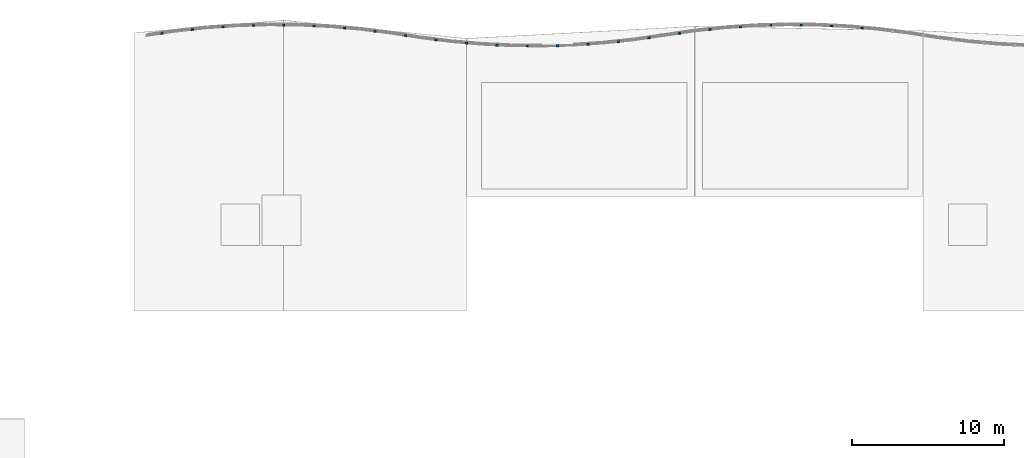
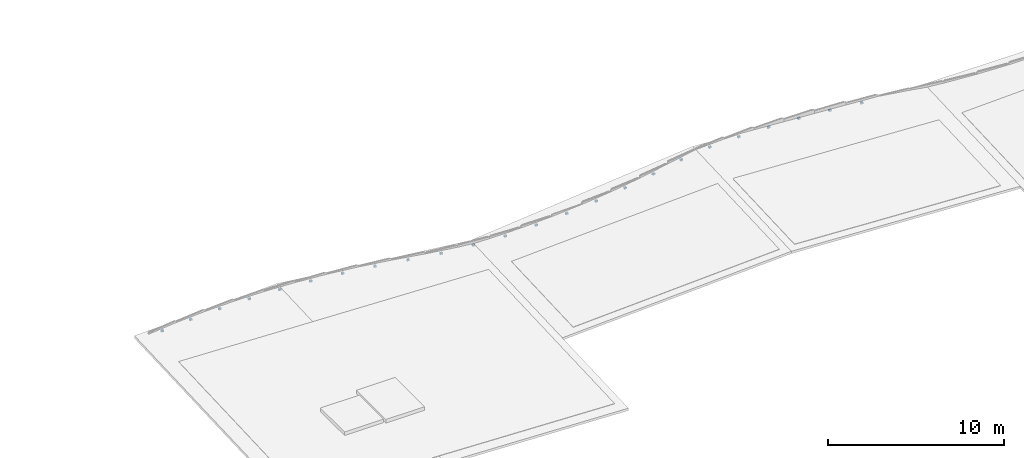
# One storey, part 8 of 11: 24 discrete accessories.
"""IFC4 building model written with IfcOpenShell, lengths in metres."""

import ifcopenshell
import ifcopenshell.guid

model = None  # the IFC model being written
_history = None  # IfcOwnerHistory: only IFC2X3 demands one
_inside = {}  # id of a spatial element -> (the spatial element, [elements in it])
_under = {}  # id of a project, library or spatial element -> (it, [spatial elements below it])
_declared = {}  # id of a project -> (the project, [libraries it declares])
_typed = {}  # id of a type object -> (the type object, [elements of that type])
_made_of = {}  # id of a material, layer set ... -> (it, [elements and type objects made of it])


def new_model(schema):
    """Start an empty IFC model of exactly this schema.

    Asked for "IFC4X3", IfcOpenShell would pick the latest addendum, in which some entities
    have other attributes; the version numbers below select the first issue.
    IFC2X3 requires an IfcOwnerHistory on every rooted entity: one is made here for all.
    """
    global model, _history
    if schema == "IFC4X3":
        model = ifcopenshell.file(schema_version=(4, 3, 0, 0))
    else:
        model = ifcopenshell.file(schema=schema)
    _inside.clear()
    _under.clear()
    _declared.clear()
    _typed.clear()
    _made_of.clear()
    _history = None
    if model.schema == "IFC2X3":
        org = make("IfcOrganization", Name="unknown")
        user = make(
            "IfcPersonAndOrganization",
            ThePerson=make("IfcPerson", FamilyName="unknown"),
            TheOrganization=org,
        )
        app = make(
            "IfcApplication",
            ApplicationDeveloper=org,
            Version="unknown",
            ApplicationFullName="unknown",
            ApplicationIdentifier="unknown",
        )
        _history = make(
            "IfcOwnerHistory",
            OwningUser=user,
            OwningApplication=app,
            ChangeAction="ADDED",
            CreationDate=0,
        )
    return model


def make(cls, **values):
    """One entity of the class cls with the attributes given. An attribute that is None is left unset."""
    return model.create_entity(
        cls, **{name: value for name, value in values.items() if value is not None}
    )


def rooted(cls, **values):
    """An entity with a GlobalId (a new one), such as an element, a storey or a relation."""
    return make(cls, GlobalId=ifcopenshell.guid.new(), OwnerHistory=_history, **values)


def si_unit(unit_type, name, prefix=None):
    """IfcSIUnit, for example si_unit("LENGTHUNIT", "METRE", prefix="MILLI")."""
    return make("IfcSIUnit", UnitType=unit_type, Prefix=prefix, Name=name)


def assignment(units):
    """IfcUnitAssignment: the units of a project."""
    return None if units is None else make("IfcUnitAssignment", Units=units)


def point(xyz):
    """IfcCartesianPoint."""
    return None if xyz is None else make("IfcCartesianPoint", Coordinates=xyz)


def direction(xyz):
    """IfcDirection."""
    return None if xyz is None else make("IfcDirection", DirectionRatios=xyz)


def frame(location, z_axis=None, x_axis=None):
    """IfcAxis2Placement3D, a coordinate frame: its origin and axes. An axis left out is left unset."""
    return make(
        "IfcAxis2Placement3D",
        Location=point(location),
        Axis=direction(z_axis),
        RefDirection=direction(x_axis),
    )


def frame_2d(location, x_axis=None):
    """IfcAxis2Placement2D, a coordinate frame in the plane: its origin and x axis."""
    return make(
        "IfcAxis2Placement2D", Location=point(location), RefDirection=direction(x_axis)
    )


def origin():
    """The frame at (0, 0, 0) with its axes left unset."""
    return frame((0.0, 0.0, 0.0))


def origin_2d():
    """The frame at (0, 0) in the plane with its x axis left unset."""
    return frame_2d((0.0, 0.0))


def place(relative_to, where):
    """IfcLocalPlacement: puts the frame where relative to a parent placement (None: the world)."""
    return make(
        "IfcLocalPlacement", PlacementRelTo=relative_to, RelativePlacement=where
    )


def context(
    kind, dimensions, precision=None, world=None, true_north=None, identifier=None
):
    """IfcGeometricRepresentationContext, for example the 3D "Model" context."""
    return make(
        "IfcGeometricRepresentationContext",
        ContextIdentifier=identifier,
        ContextType=kind,
        CoordinateSpaceDimension=dimensions,
        Precision=precision,
        WorldCoordinateSystem=world,
        TrueNorth=true_north,
    )


def subcontext(parent, identifier, kind, view, scale=None):
    """IfcGeometricRepresentationSubContext, for example "Body" below "Model"."""
    return make(
        "IfcGeometricRepresentationSubContext",
        ContextIdentifier=identifier,
        ContextType=kind,
        ParentContext=parent,
        TargetScale=scale,
        TargetView=view,
    )


def project(units=None, contexts=None):
    """IfcProject with its units and contexts."""
    return rooted(
        "IfcProject",
        Name="project",
        RepresentationContexts=contexts,
        UnitsInContext=assignment(units),
    )


def spatial(cls, under=None, at=None, **own):
    """A site, building, storey or space (cls), placed at a placement, below another one or the project."""
    s = rooted(cls, ObjectPlacement=at, **own)
    if under is not None:
        _under.setdefault(under.id(), (under, []))[1].append(s)
    return s


def profile(cls, at=None, kind="AREA", **sizes):
    """A parametric profile (cls). Its sizes go by their IFC names, for example OverallWidth=200.0."""
    return make(cls, ProfileType=kind, Position=at, **sizes)


def rectangle(**sizes):
    """IfcRectangleProfileDef."""
    return profile("IfcRectangleProfileDef", **sizes)


def extrude(swept, where, along, depth):
    """IfcExtrudedAreaSolid: the profile swept, set in the frame where, extruded along a direction by depth."""
    return make(
        "IfcExtrudedAreaSolid",
        SweptArea=swept,
        Position=where,
        ExtrudedDirection=direction(along),
        Depth=depth,
    )


def shape(context_of_items, identifier, shape_type, items):
    """IfcShapeRepresentation: the items that make up one representation, for example the "Body"."""
    return make(
        "IfcShapeRepresentation",
        ContextOfItems=context_of_items,
        RepresentationIdentifier=identifier,
        RepresentationType=shape_type,
        Items=items,
    )


def material(Name=None, Category=None):
    """IfcMaterial."""
    return make("IfcMaterial", Name=Name, Category=Category)


def made_of(thing, what):
    """Note that an element or type object is made of a material, layer set ...; save() writes the relation."""
    if what is not None:
        _made_of.setdefault(what.id(), (what, []))[1].append(thing)
    return thing


def type_object(cls, material=None, **own):
    """A type object (cls), such as IfcWallType, which elements share."""
    return made_of(rooted(cls, **own), material)


def element(
    cls,
    number,
    at=None,
    inside=None,
    cuts=None,
    type_object=None,
    material=None,
    context=None,
    identifier="Body",
    shape_type=None,
    held_by="IfcProductDefinitionShape",
    body=None,
    shapes=None,
    **own,
):
    """One element of the class cls, such as IfcWall. Its Tag is "e" and its number.

    at: its placement. inside: the storey or other place that contains it. cuts: it is an
    opening in that element (IfcRelVoidsElement). A single representation is given by context,
    identifier, shape_type and body (its items); several are given by shapes. held_by: the class
    of the entity that holds the representations. save() writes the other relations.
    """
    e = rooted(cls, Tag="e%d" % number, ObjectPlacement=at, **own)
    if body is not None:
        shapes = [shape(context, identifier, shape_type, body)]
    if shapes is not None:
        e.Representation = make(held_by, Representations=shapes)
    if inside is not None:
        _inside.setdefault(inside.id(), (inside, []))[1].append(e)
    if cuts is not None:
        rooted(
            "IfcRelVoidsElement", RelatingBuildingElement=cuts, RelatedOpeningElement=e
        )
    if type_object is not None:
        _typed.setdefault(type_object.id(), (type_object, []))[1].append(e)
    return made_of(e, material)


def aggregate(whole, parts):
    """IfcRelAggregates: a whole, such as a stair, and the parts it consists of."""
    return rooted("IfcRelAggregates", RelatingObject=whole, RelatedObjects=parts)


def save(model, path):
    """Write the relations noted so far, then the file.

    IfcRelAggregates (storeys below a building ...), IfcRelContainedInSpatialStructure (elements
    in a storey), IfcRelDefinesByType, IfcRelAssociatesMaterial and IfcRelDeclares: one each for
    every whole, place, type object, material and project.
    """
    for whole, parts in _under.values():
        aggregate(whole, parts)
    for where, things in _inside.values():
        rooted(
            "IfcRelContainedInSpatialStructure",
            RelatedElements=things,
            RelatingStructure=where,
        )
    for kind, things in _typed.values():
        rooted("IfcRelDefinesByType", RelatedObjects=things, RelatingType=kind)
    for what, things in _made_of.values():
        rooted("IfcRelAssociatesMaterial", RelatedObjects=things, RelatingMaterial=what)
    for by, libraries in _declared.values():
        rooted("IfcRelDeclares", RelatingContext=by, RelatedDefinitions=libraries)
    model.write(path)


model = new_model("IFC4")

# Units and contexts
model_context = context("Model", 3, precision=1e-05, world=origin(), true_north=direction((0.0, 1.0)))
body_context = subcontext(model_context, "Body", "Model", "MODEL_VIEW")
ifc_project = project(units=[si_unit("LENGTHUNIT", "METRE"), si_unit("AREAUNIT", "SQUARE_METRE"), si_unit("VOLUMEUNIT", "CUBIC_METRE"), si_unit("PLANEANGLEUNIT", "RADIAN"), si_unit("MASSUNIT", "GRAM", prefix="KILO")], contexts=[model_context])

# Site, building, storey
site_placement = place(None, origin())
site = spatial("IfcSite", under=ifc_project, at=site_placement, CompositionType="ELEMENT")
building_placement = place(site_placement, origin())
building = spatial("IfcBuilding", under=site, at=building_placement, Name="Tonlespit Floodbar School", CompositionType="ELEMENT")
storey_placement = place(building_placement, frame((0.0, 0.0, 24.0)))
storey = spatial("IfcBuildingStorey", under=building, at=storey_placement, Name="RF", CompositionType="ELEMENT", Elevation=24.0)

# Discrete accessories
ifc_material = material(Name="Galvanised Steel", Category="steel")
discrete_accessory_type = type_object("IfcDiscreteAccessoryType", Name="Bracket_Facade_S355", PredefinedType="BRACKET", material=ifc_material)
for number, where, z_axis, x_axis, name in (
    (1, (44.99560546875, 121.7255859375, 0.871337890625), (0.0, 0.0, 1.0), (0.989537627347, 0.144275029245, 0.0), "RF white band support bracket 0381"),
    (2, (46.996826171875, 121.977783203125, 0.808837890625), (0.0, 0.0, 1.0), (0.99439234017, 0.105753835922, 0.0), "RF white band support bracket 0383"),
    (3, (48.998046875, 122.151611328125, 0.7431640625), (0.0, 0.0, 1.0), (0.997729639049, 0.067346621018, 0.0), "RF white band support bracket 0385"),
    (4, (50.9990234375, 122.248046875, 0.674072265625), (0.0, 0.0, 1.0), (0.999584110869, 0.02883756748, 0.0), "RF white band support bracket 0387"),
    (5, (53.000244140625, 122.267333984375, 0.601806640625), (0.0, 0.0, 1.0), (0.999953926969, -0.009599163462, 0.0), "RF white band support bracket 0389"),
    (6, (55.00146484375, 122.209716796875, 0.526123046875), (0.0, 0.0, 1.0), (0.998842769234, -0.048094930587, 0.0), "RF white band support bracket 0391"),
    (7, (57.002685546875, 122.074462890625, 0.447021484375), (0.0, 0.0, 1.0), (0.996245486492, -0.086573267488, 0.0), "RF white band support bracket 0393"),
    (8, (59.00390625, 121.861572265625, 0.364501953125), (0.0, 0.0, 1.0), (0.99215533612, -0.125011155539, 0.0), "RF white band support bracket 0395"),
    (9, (61.004638671875, 121.57958984375, 0.279541015625), (0.0, 0.0, 1.0), (0.988094768361, -0.153846445322, 0.0), "RF white band support bracket 0397"),
    (10, (63.00390625, 121.298095703125, 0.197021484375), (0.0, 0.0, 1.0), (0.99215533612, -0.125011155539, 0.0), "RF white band support bracket 0399"),
    (11, (65.002685546875, 121.085205078125, 0.197021484375), (0.0, 0.0, 1.0), (0.996245486492, -0.086573267488, 0.0), "RF white band support bracket 0401"),
    (12, (67.00146484375, 120.9501953125, 0.203125), (0.0, 0.0, 1.0), (0.998842769234, -0.048094930587, 0.0), "RF white band support bracket 0403"),
    (13, (69.000244140625, 120.892578125, 0.2978515625), (0.0, 0.0, 1.0), (0.999953926969, -0.009599163462, 0.0), "RF white band support bracket 0405"),
    (14, (70.9990234375, 120.911865234375, 0.3955078125), (0.0, 0.0, 1.0), (0.999584110869, 0.02883756748, 0.0), "RF white band support bracket 0407"),
    (15, (72.998046875, 121.008056640625, 0.49658203125), (0.0, 0.0, 1.0), (0.997729639049, 0.067346621018, 0.0), "RF white band support bracket 0409"),
    (16, (74.996826171875, 121.181884765625, 0.60107421875), (0.0, 0.0, 1.0), (0.99439234017, 0.105753835922, 0.0), "RF white band support bracket 0411"),
    (17, (76.99560546875, 121.433837890625, 0.708984375), (0.0, 0.0, 1.0), (0.989537627347, 0.144275029245, 0.0), "RF white band support bracket 0413"),
    (18, (78.99560546875, 121.7255859375, 0.8203125), (0.0, 0.0, 1.0), (0.989537627347, 0.144275029245, 0.0), "RF white band support bracket 0415"),
    (19, (80.996826171875, 121.977783203125, 0.842041015625), (0.0, 0.0, 1.0), (0.99439234017, 0.105753835922, 0.0), "RF white band support bracket 0417"),
    (20, (82.998046875, 122.151611328125, 0.749267578125), (0.0, 0.0, 1.0), (0.997729639049, 0.067346621018, 0.0), "RF white band support bracket 0419"),
    (21, (84.9990234375, 122.248046875, 0.653076171875), (0.0, 0.0, 1.0), (0.999584110869, 0.02883756748, 0.0), "RF white band support bracket 0421"),
    (22, (87.000244140625, 122.267333984375, 0.553466796875), (0.0, 0.0, 1.0), (0.999953926969, -0.009599163462, 0.0), "RF white band support bracket 0423"),
    (23, (89.00146484375, 122.209716796875, 0.45068359375), (0.0, 0.0, 1.0), (0.998842769234, -0.048094930587, 0.0), "RF white band support bracket 0425"),
    (24, (91.002685546875, 122.074462890625, 0.344482421875), (0.0, 0.0, 1.0), (0.996245486492, -0.086573267488, 0.0), "RF white band support bracket 0427"),
):
    element("IfcDiscreteAccessory", number, at=place(storey_placement, frame(where, z_axis=z_axis, x_axis=x_axis)), inside=storey, type_object=discrete_accessory_type, Name=name, PredefinedType="BRACKET", context=body_context, shape_type="SweptSolid", body=[
        extrude(rectangle(XDim=0.159912109375, YDim=0.1201171875, at=origin_2d()), origin(), (0.0, 0.0, 1.0), 0.1201171875),
    ])

save(model, "model.ifc")
